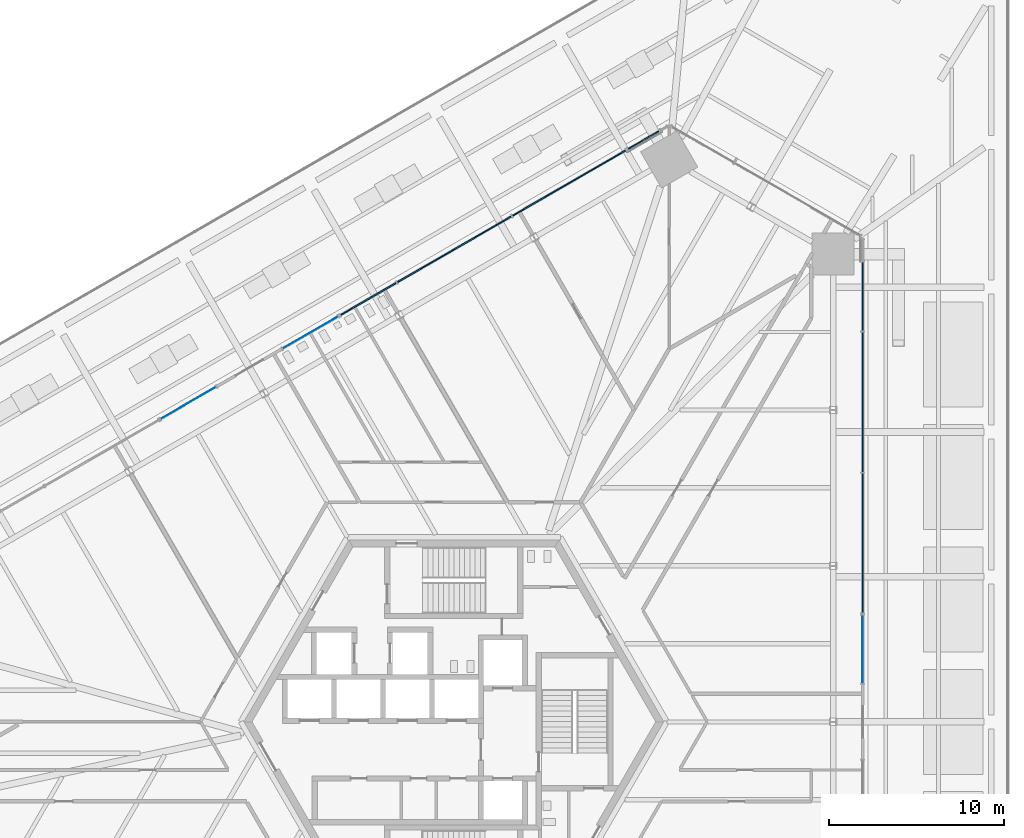
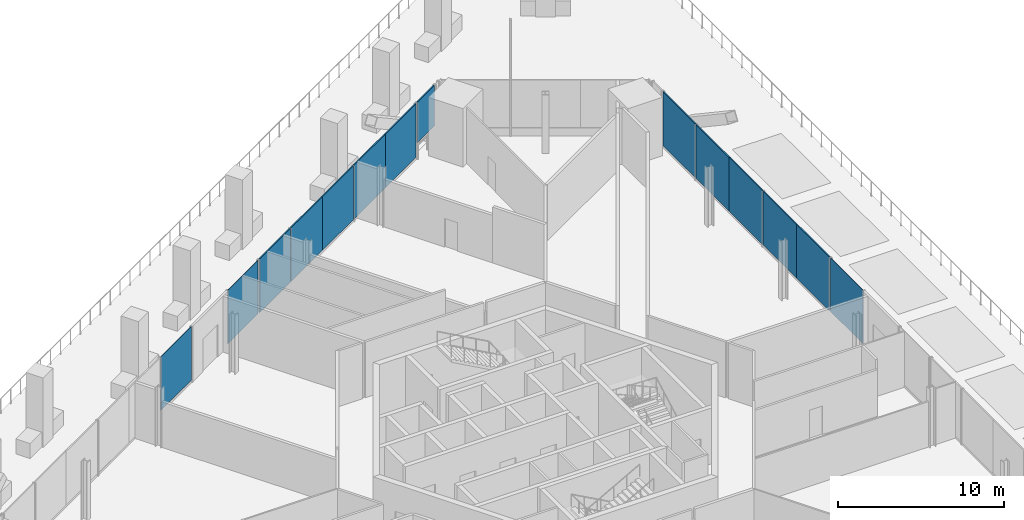
# One storey, part 24 of 38: 14 plates, 6 elements without a shape of their own.
"""IFC4 building model written with IfcOpenShell, lengths in metres."""

from ifc_helpers import new_model, si_unit, direction, frame, origin, origin_2d, place, context, subcontext, project, spatial, rectangle, extrude, source, transform, mapped, material, layer, layer_set, type_object, element, aggregate, save


model = new_model("IFC4")

# Units and contexts
model_context = context("Model", 3, precision=1e-05, world=origin(), true_north=direction((0.0, 1.0)))
body_context = subcontext(model_context, "Body", "Model", "MODEL_VIEW")
ifc_project = project(units=[si_unit("LENGTHUNIT", "METRE"), si_unit("AREAUNIT", "SQUARE_METRE"), si_unit("VOLUMEUNIT", "CUBIC_METRE"), si_unit("PLANEANGLEUNIT", "RADIAN"), si_unit("MASSUNIT", "GRAM", prefix="KILO")], contexts=[model_context])

# Site, building, storey
site_placement = place(None, origin())
site = spatial("IfcSite", under=ifc_project, at=site_placement, CompositionType="ELEMENT")
building_placement = place(site_placement, origin())
building = spatial("IfcBuilding", under=site, at=building_placement, Name="Triune Harvest Tower", CompositionType="ELEMENT")
storey_placement = place(building_placement, frame((0.0, 0.0, 16.0)))
storey = spatial("IfcBuildingStorey", under=building, at=storey_placement, Name="L03", CompositionType="ELEMENT", Elevation=16.0)

# Curtain wall, plate
ifc_material_1 = material(Name="Aluminium bronze anodised", Category="aluminium")
curtain_wall_type_1 = type_object("IfcCurtainWallType", Name="CW-6 Balcony window wall", PredefinedType="NOTDEFINED", material=ifc_material_1)
curtain_wall_1_placement = place(storey_placement, origin())
curtain_wall_1 = element("IfcCurtainWall", 1, at=curtain_wall_1_placement, inside=storey, type_object=curtain_wall_type_1, Name="CW-6 B1-F1 L03 run 2")
ifc_material_2 = material(Name="Glass", Category="glass")
ifc_layer_1 = layer(ifc_material_2, 0.030029296875)
ifc_layer_set_1 = layer_set([ifc_layer_1], Name="Glass")
plate_type_1 = type_object("IfcPlateType", Name="GL-6 panel 30", PredefinedType="CURTAIN_PANEL", material=ifc_layer_set_1)
plate_1_placement = place(storey_placement, frame((23.371337890625, 4.149169921875, 0.14990234375), z_axis=(0.0, 0.0, 1.0), x_axis=(0.0, 1.0, 0.0)))
plate_1 = element("IfcPlate", 2, at=plate_1_placement, type_object=plate_type_1, Name="CW-6 panel B1-F1 2.1", PredefinedType="CURTAIN_PANEL", context=body_context, shape_type="SweptSolid", body=[
    extrude(rectangle(XDim=3.885498046875, YDim=0.030029296875, at=origin_2d()), origin(), (0.0, 0.0, 1.0), 3.949951171875),
])
aggregate(curtain_wall_1, [plate_1])

# Curtain wall, plates
ifc_material_3 = material(Name="Aluminium bronze anodised", Category="aluminium")
curtain_wall_type_2 = type_object("IfcCurtainWallType", Name="CW-10 Balcony window wall with insulated spandrel infill", PredefinedType="NOTDEFINED", material=ifc_material_3)
curtain_wall_2_placement = place(storey_placement, origin())
curtain_wall_2 = element("IfcCurtainWall", 3, at=curtain_wall_2_placement, inside=storey, type_object=curtain_wall_type_2, Name="CW-10 B1-F1 L03 run 1002")
ifc_material_4 = material(Name="Insulated spandrel panel, bronze aluminium pan", Category="aluminium")
ifc_layer_2 = layer(ifc_material_4, 0.080078125)
ifc_layer_set_2 = layer_set([ifc_layer_2], Name="Insulated spandrel panel, bronze aluminium pan")
plate_type_2 = type_object("IfcPlateType", Name="SP-1 insulated spandrel panel 80", PredefinedType="CURTAIN_PANEL", material=ifc_layer_set_2)
plate_2_placement = place(storey_placement, frame((23.371337890625, 8.22216796875, 0.14990234375), z_axis=(0.0, 0.0, 1.0), x_axis=(0.0, 1.0, 0.0)))
plate_2 = element("IfcPlate", 4, at=plate_2_placement, type_object=plate_type_2, Name="CW-10 panel B1-F1 1002.1", PredefinedType="CURTAIN_PANEL", context=body_context, shape_type="SweptSolid", body=[
    extrude(rectangle(XDim=3.960693359375, YDim=0.080078125, at=origin_2d()), origin(), (0.0, 0.0, 1.0), 3.949951171875),
])
plate_3_placement = place(storey_placement, frame((23.371337890625, 24.308349609375, 0.14990234375), z_axis=(0.0, 0.0, 1.0), x_axis=(0.0, 1.0, 0.0)))
plate_3 = element("IfcPlate", 5, at=plate_3_placement, type_object=plate_type_2, Name="CW-10 panel B1-F1 1002.5", PredefinedType="CURTAIN_PANEL", context=body_context, shape_type="SweptSolid", body=[
    extrude(rectangle(XDim=3.923095703125, YDim=0.080078125, at=origin_2d()), origin(), (0.0, 0.0, 1.0), 3.949951171875),
])

curtain_wall_3_placement = place(storey_placement, origin())
curtain_wall_3 = element("IfcCurtainWall", 6, at=curtain_wall_3_placement, inside=storey, type_object=curtain_wall_type_2, Name="CW-10 B1-F3 L03 run 201")
shared_shape_1 = source(origin(), body_context, "Body", "SweptSolid", [
    extrude(rectangle(XDim=3.72314453125, YDim=0.080078125, at=origin_2d()), origin(), (0.0, 0.0, 1.0), 3.949951171875),
])
plate_4_placement = place(storey_placement, frame((8.218994140625, 31.732177734375, 0.14990234375), z_axis=(0.0, 0.0, 1.0), x_axis=(-0.866023275828, -0.500003685711, 0.0)))
plate_4 = element("IfcPlate", 7, at=plate_4_placement, type_object=plate_type_2, Name="CW-10 panel B1-F3 201.1", PredefinedType="CURTAIN_PANEL", context=body_context, shape_type="MappedRepresentation", body=[
    mapped(shared_shape_1, transform((0.0, 0.0, 0.0), scale=1.0)),
])
shared_shape_2 = source(origin(), body_context, "Body", "SweptSolid", [
    extrude(rectangle(XDim=3.7607421875, YDim=0.080078125, at=origin_2d()), origin(), (0.0, 0.0, 1.0), 3.949951171875),
])
plate_5_placement = place(storey_placement, frame((4.978515625, 29.861083984375, 0.14990234375), z_axis=(0.0, 0.0, 1.0), x_axis=(-0.866023275828, -0.500003685711, 0.0)))
plate_5 = element("IfcPlate", 8, at=plate_5_placement, type_object=plate_type_2, Name="CW-10 panel B1-F3 201.2", PredefinedType="CURTAIN_PANEL", context=body_context, shape_type="MappedRepresentation", body=[
    mapped(shared_shape_2, transform((0.0, 0.0, 0.0), scale=1.0)),
])
plate_6_placement = place(storey_placement, frame((1.656494140625, 27.943359375, 0.14990234375), z_axis=(0.0, 0.0, 1.0), x_axis=(-0.866023275828, -0.500003685711, 0.0)))
plate_6 = element("IfcPlate", 9, at=plate_6_placement, type_object=plate_type_2, Name="CW-10 panel B1-F3 201.3", PredefinedType="CURTAIN_PANEL", context=body_context, shape_type="MappedRepresentation", body=[
    mapped(shared_shape_2, transform((0.0, 0.0, 0.0), scale=1.0)),
])
plate_7_placement = place(storey_placement, frame((-1.600341796875, 26.06298828125, 0.14990234375), z_axis=(0.0, 0.0, 1.0), x_axis=(-0.866023275828, -0.500003685711, 0.0)))
plate_7 = element("IfcPlate", 10, at=plate_7_placement, type_object=plate_type_2, Name="CW-10 panel B1-F3 201.4", PredefinedType="CURTAIN_PANEL", context=body_context, shape_type="MappedRepresentation", body=[
    mapped(shared_shape_2, transform((0.0, 0.0, 0.0), scale=1.0)),
])
shared_shape_3 = source(origin(), body_context, "Body", "SweptSolid", [
    extrude(rectangle(XDim=3.685791015625, YDim=0.080078125, at=origin_2d()), origin(), (0.0, 0.0, 1.0), 3.949951171875),
])
plate_8_placement = place(storey_placement, frame((-4.8896484375, 24.163818359375, 0.14990234375), z_axis=(0.0, 0.0, 1.0), x_axis=(-0.866023275828, -0.500003685711, 0.0)))
plate_8 = element("IfcPlate", 11, at=plate_8_placement, type_object=plate_type_2, Name="CW-10 panel B1-F3 201.5", PredefinedType="CURTAIN_PANEL", context=body_context, shape_type="MappedRepresentation", body=[
    mapped(shared_shape_3, transform((0.0, 0.0, 0.0), scale=1.0)),
])
aggregate(curtain_wall_3, [plate_4, plate_5, plate_6, plate_7, plate_8])

# Curtain wall, plate
curtain_wall_4_placement = place(storey_placement, origin())
curtain_wall_4 = element("IfcCurtainWall", 12, at=curtain_wall_4_placement, inside=storey, type_object=curtain_wall_type_1, Name="CW-6 B1-F3 L03 run 1201")
shared_shape_4 = source(origin(), body_context, "Body", "SweptSolid", [
    extrude(rectangle(XDim=3.648193359375, YDim=0.030029296875, at=origin_2d()), origin(), (0.0, 0.0, 1.0), 3.949951171875),
])
plate_9_placement = place(storey_placement, frame((-8.1953125, 22.25537109375, 0.14990234375), z_axis=(0.0, 0.0, 1.0), x_axis=(-0.86602950507, -0.499992896298, 0.0)))
plate_9 = element("IfcPlate", 13, at=plate_9_placement, type_object=plate_type_1, Name="CW-6 panel B1-F3 1201.1", PredefinedType="CURTAIN_PANEL", context=body_context, shape_type="MappedRepresentation", body=[
    mapped(shared_shape_4, transform((0.0, 0.0, 0.0), scale=1.0)),
])
aggregate(curtain_wall_4, [plate_9])

curtain_wall_5_placement = place(storey_placement, origin())
curtain_wall_5 = element("IfcCurtainWall", 14, at=curtain_wall_5_placement, inside=storey, type_object=curtain_wall_type_1, Name="CW-6 B1-F3 L03 run 2")
plate_10_placement = place(storey_placement, frame((-15.17626953125, 18.22509765625, 0.14990234375), z_axis=(0.0, 0.0, 1.0), x_axis=(-0.86602950507, -0.499992896298, 0.0)))
plate_10 = element("IfcPlate", 15, at=plate_10_placement, type_object=plate_type_1, Name="CW-6 panel B1-F3 2.1", PredefinedType="CURTAIN_PANEL", context=body_context, shape_type="MappedRepresentation", body=[
    mapped(shared_shape_4, transform((0.0, 0.0, 0.0), scale=1.0)),
])
aggregate(curtain_wall_5, [plate_10])

# Plate
shared_shape_5 = source(origin(), body_context, "Body", "SweptSolid", [
    extrude(rectangle(XDim=3.998046875, YDim=0.080078125, at=origin_2d()), origin(), (0.0, 0.0, 1.0), 3.949951171875),
])
plate_11_placement = place(storey_placement, frame((23.371337890625, 12.20166015625, 0.14990234375), z_axis=(0.0, 0.0, 1.0), x_axis=(0.0, 1.0, 0.0)))
plate_11 = element("IfcPlate", 16, at=plate_11_placement, type_object=plate_type_2, Name="CW-10 panel B1-F1 1002.2", PredefinedType="CURTAIN_PANEL", context=body_context, shape_type="MappedRepresentation", body=[
    mapped(shared_shape_5, transform((0.0, 0.0, 0.0), scale=1.0)),
])

plate_12_placement = place(storey_placement, frame((23.371337890625, 16.274658203125, 0.14990234375), z_axis=(0.0, 0.0, 1.0), x_axis=(0.0, 1.0, 0.0)))
plate_12 = element("IfcPlate", 17, at=plate_12_placement, type_object=plate_type_2, Name="CW-10 panel B1-F1 1002.3", PredefinedType="CURTAIN_PANEL", context=body_context, shape_type="MappedRepresentation", body=[
    mapped(shared_shape_5, transform((0.0, 0.0, 0.0), scale=1.0)),
])

plate_13_placement = place(storey_placement, frame((23.371337890625, 20.272705078125, 0.14990234375), z_axis=(0.0, 0.0, 1.0), x_axis=(0.0, 1.0, 0.0)))
plate_13 = element("IfcPlate", 18, at=plate_13_placement, type_object=plate_type_2, Name="CW-10 panel B1-F1 1002.4", PredefinedType="CURTAIN_PANEL", context=body_context, shape_type="MappedRepresentation", body=[
    mapped(shared_shape_5, transform((0.0, 0.0, 0.0), scale=1.0)),
])

aggregate(curtain_wall_2, [plate_2, plate_11, plate_12, plate_13, plate_3])

# Curtain wall, plate
curtain_wall_6_placement = place(storey_placement, origin())
curtain_wall_6 = element("IfcCurtainWall", 19, at=curtain_wall_6_placement, inside=storey, type_object=curtain_wall_type_2, Name="CW-10 B1-F3 L03 run 101")
shared_shape_6 = source(origin(), body_context, "Body", "SweptSolid", [
    extrude(rectangle(XDim=2.04443359375, YDim=0.080078125, at=origin_2d()), origin(), (0.0, 0.0, 1.0), 2.965087890625),
])
plate_14_placement = place(storey_placement, frame((10.846435546875, 33.2490234375, 1.134765625), z_axis=(0.0, 0.0, 1.0), x_axis=(-0.866024703584, -0.500001212781, 0.0)))
plate_14 = element("IfcPlate", 20, at=plate_14_placement, type_object=plate_type_2, Name="CW-10 panel B1-F3 101.1", PredefinedType="CURTAIN_PANEL", context=body_context, shape_type="MappedRepresentation", body=[
    mapped(shared_shape_6, transform((0.0, 0.0, 0.0), scale=1.0)),
])
aggregate(curtain_wall_6, [plate_14])

save(model, "model.ifc")
